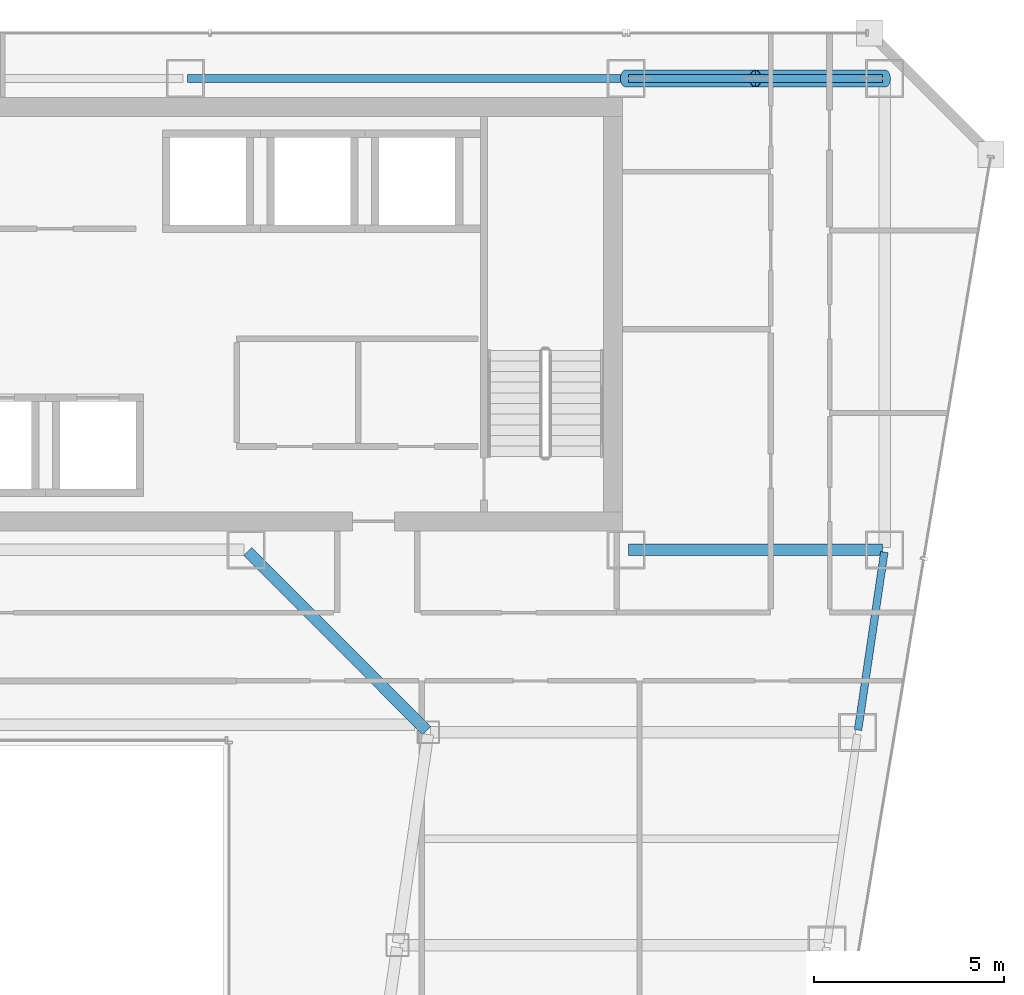
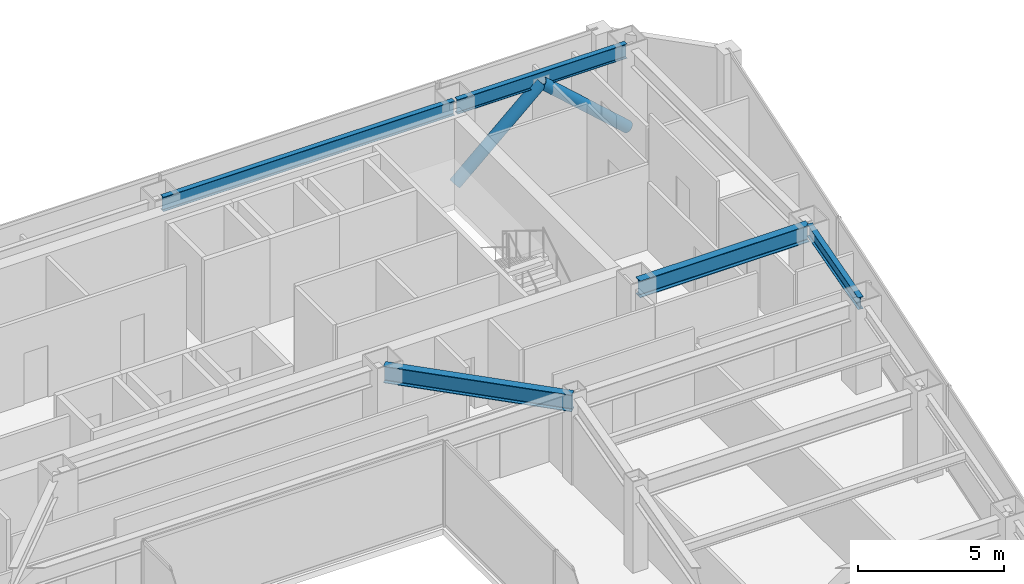
# One storey, part 26 of 38: 5 beams, 2 members.
"""IFC4 building model written with IfcOpenShell, lengths in metres."""

from ifc_helpers import new_model, si_unit, direction, frame, origin, origin_2d, place, context, subcontext, project, spatial, hollow_circle, i_section, extrude, material, material_profile, profile_set, type_object, element, save


model = new_model("IFC4")

# Units and contexts
model_context = context("Model", 3, precision=1e-05, world=origin(), true_north=direction((0.0, 1.0)))
body_context = subcontext(model_context, "Body", "Model", "MODEL_VIEW")
ifc_project = project(units=[si_unit("LENGTHUNIT", "METRE"), si_unit("AREAUNIT", "SQUARE_METRE"), si_unit("VOLUMEUNIT", "CUBIC_METRE"), si_unit("PLANEANGLEUNIT", "RADIAN"), si_unit("MASSUNIT", "GRAM", prefix="KILO")], contexts=[model_context])

# Site, building, storey
site_placement = place(None, origin())
site = spatial("IfcSite", under=ifc_project, at=site_placement, CompositionType="ELEMENT")
building_placement = place(site_placement, origin())
building = spatial("IfcBuilding", under=site, at=building_placement, Name="Saevonmaru Cultural Tower", CompositionType="ELEMENT")
storey_placement = place(building_placement, frame((0.0, 0.0, 137.199951171875)))
storey = spatial("IfcBuildingStorey", under=building, at=storey_placement, Name="L29", CompositionType="ELEMENT", Elevation=137.199951171875)

# Beams
ifc_material_1 = material(Name="Steel SM355", Category="steel")
ifc_material_profile_1 = material_profile(ifc_material_1, i_section(OverallWidth=0.300048828125, OverallDepth=0.699951171875, WebThickness=0.012939453125, FlangeThickness=0.02392578125, FilletRadius=0.02587890625, at=origin_2d()), Name="H-700x300x13x24")
ifc_profile_set_1 = profile_set([ifc_material_profile_1], Name="Steel SM355")
beam_type_1 = type_object("IfcBeamType", Name="BM-G-H700", PredefinedType="BEAM", material=ifc_profile_set_1)
beam_1_placement = place(storey_placement, frame((46.4599609375, 42.39990234375, 3.199951171875), z_axis=(1.0, 0.0, 0.0), x_axis=(0.0, 1.0, 0.0)))
element("IfcBeam", 1, at=beam_1_placement, inside=storey, type_object=beam_type_1, Name="L29 Core South Girder 5", PredefinedType="BEAM", context=body_context, shape_type="SweptSolid", body=[
    extrude(i_section(OverallWidth=0.300048828125, OverallDepth=0.699951171875, WebThickness=0.012939453125, FlangeThickness=0.02392578125, FilletRadius=0.02587890625, at=origin_2d()), origin(), (0.0, 0.0, 1.0), 6.679931640625),
])
beam_2_placement = place(storey_placement, frame((41.149658203125, 37.642578125, 3.199951171875), z_axis=(-0.706538566564, 0.707674539572, 0.0), x_axis=(-0.707674539572, -0.706538566564, 0.0)))
element("IfcBeam", 2, at=beam_2_placement, inside=storey, type_object=beam_type_1, Name="L29 East Atrium Girder 5", PredefinedType="BEAM", context=body_context, shape_type="SweptSolid", body=[
    extrude(i_section(OverallWidth=0.300048828125, OverallDepth=0.699951171875, WebThickness=0.012939453125, FlangeThickness=0.02392578125, FilletRadius=0.02587890625, at=origin_2d()), origin(), (0.0, 0.0, 1.0), 6.662353515625),
])
ifc_material_profile_2 = material_profile(ifc_material_1, i_section(OverallWidth=0.199951171875, OverallDepth=0.5, WebThickness=0.010009765625, FlangeThickness=0.01611328125, FilletRadius=0.02001953125, at=origin_2d()), Name="H-500x200x10x16")
ifc_profile_set_2 = profile_set([ifc_material_profile_2], Name="Steel SM355")
beam_type_2 = type_object("IfcBeamType", Name="BM-SP-H500", PredefinedType="SPANDREL", material=ifc_profile_set_2)
beam_3_placement = place(storey_placement, frame((52.500732421875, 37.659423828125, 3.300048828125), z_axis=(0.145912860028, 0.989297446312, 0.0), x_axis=(-0.989297446312, 0.145912860028, 0.0)))
element("IfcBeam", 3, at=beam_3_placement, inside=storey, type_object=beam_type_2, Name="L29 East Splayed Spandrel 5", PredefinedType="SPANDREL", context=body_context, shape_type="SweptSolid", body=[
    extrude(i_section(OverallWidth=0.199951171875, OverallDepth=0.5, WebThickness=0.010009765625, FlangeThickness=0.01611328125, FilletRadius=0.02001953125, at=origin_2d()), origin(), (0.0, 0.0, 1.0), 4.731689453125),
])
ifc_material_profile_3 = material_profile(ifc_material_1, i_section(OverallWidth=0.199951171875, OverallDepth=0.60009765625, WebThickness=0.010986328125, FlangeThickness=0.01708984375, FilletRadius=0.02197265625, at=origin_2d()), Name="H-600x200x11x17")
ifc_profile_set_3 = profile_set([ifc_material_profile_3], Name="Steel SM355")
beam_type_3 = type_object("IfcBeamType", Name="BM-SP-H600", PredefinedType="SPANDREL", material=ifc_profile_set_3)
beam_4_placement = place(storey_placement, frame((34.860107421875, 54.800048828125, 3.25), z_axis=(1.0, 0.0, 0.0), x_axis=(0.0, 1.0, 0.0)))
element("IfcBeam", 4, at=beam_4_placement, inside=storey, type_object=beam_type_3, Name="L29 North Spine Girder 4", PredefinedType="SPANDREL", context=body_context, shape_type="SweptSolid", body=[
    extrude(i_section(OverallWidth=0.199951171875, OverallDepth=0.60009765625, WebThickness=0.010986328125, FlangeThickness=0.01708984375, FilletRadius=0.02197265625, at=origin_2d()), origin(), (0.0, 0.0, 1.0), 11.47998046875),
])
beam_5_placement = place(storey_placement, frame((46.4599609375, 54.800048828125, 3.25), z_axis=(1.0, 0.0, 0.0), x_axis=(0.0, 1.0, 0.0)))
element("IfcBeam", 5, at=beam_5_placement, inside=storey, type_object=beam_type_3, Name="L29 North Spine Girder 5", PredefinedType="SPANDREL", context=body_context, shape_type="SweptSolid", body=[
    extrude(i_section(OverallWidth=0.199951171875, OverallDepth=0.60009765625, WebThickness=0.010986328125, FlangeThickness=0.01708984375, FilletRadius=0.02197265625, at=origin_2d()), origin(), (0.0, 0.0, 1.0), 6.679931640625),
])

# Members
ifc_material_2 = material(Name="Steel SM420", Category="steel")
ifc_material_profile_4 = material_profile(ifc_material_2, hollow_circle(Radius=0.228515625, WallThickness=0.02001953125, at=origin_2d()), Name="CHS-457.2x20")
ifc_profile_set_4 = profile_set([ifc_material_profile_4], Name="Steel SM420")
member_type = type_object("IfcMemberType", Name="MB-PBR-CHS457", PredefinedType="BRACE", material=ifc_profile_set_4)
for number, where, z_axis, x_axis, name in (
    (6, (46.39990234375, 54.800048828125, 0.02001953125), (0.744390779303, 0.0, 0.66774423823), (0.0, 1.0, 0.0), "L29 Perimeter Braced-Tube Diagonal EN1"),
    (7, (53.199951171875, 54.800048828125, 0.02001953125), (-0.744366945704, 0.0, 0.667770806597), (0.0, -1.0, 0.0), "L29 Perimeter Braced-Tube Diagonal EN2"),
):
    element("IfcMember", number, at=place(storey_placement, frame(where, z_axis=z_axis, x_axis=x_axis)), inside=storey, type_object=member_type, Name=name, PredefinedType="BRACE", context=body_context, shape_type="SweptSolid", body=[
        extrude(hollow_circle(Radius=0.228515625, WallThickness=0.02001953125, at=origin_2d()), origin(), (0.0, 0.0, 1.0), 4.567626953125),
    ])

save(model, "model.ifc")
